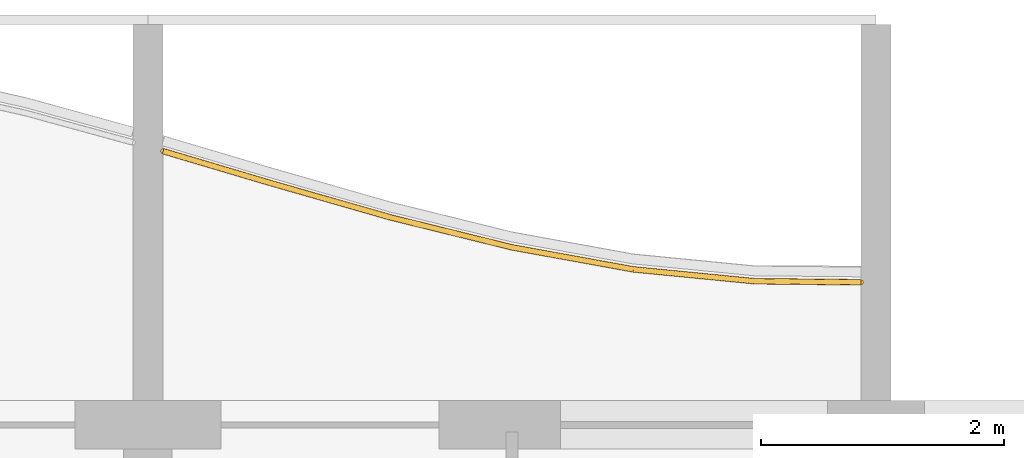
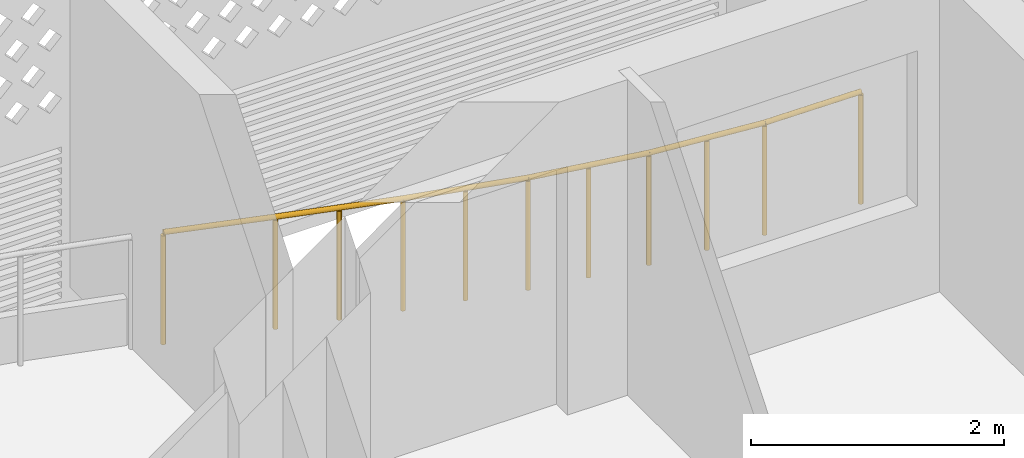
# One storey, part 36 of 44: 1 railing.
"""IFC4 building model written with IfcOpenShell, lengths in metres."""

from ifc_helpers import new_model, si_unit, direction, frame, origin, origin_2d, place, context, subcontext, project, spatial, circle, extrude, material, type_object, element, save


model = new_model("IFC4")

# Units and contexts
model_context = context("Model", 3, precision=1e-05, world=origin(), true_north=direction((0.0, 1.0)))
body_context = subcontext(model_context, "Body", "Model", "MODEL_VIEW")
ifc_project = project(units=[si_unit("LENGTHUNIT", "METRE"), si_unit("AREAUNIT", "SQUARE_METRE"), si_unit("VOLUMEUNIT", "CUBIC_METRE"), si_unit("PLANEANGLEUNIT", "RADIAN"), si_unit("MASSUNIT", "GRAM", prefix="KILO")], contexts=[model_context])

# Site, building, storey
site_placement = place(None, origin())
site = spatial("IfcSite", under=ifc_project, at=site_placement, CompositionType="ELEMENT")
building_placement = place(site_placement, origin())
building = spatial("IfcBuilding", under=site, at=building_placement, Name="Poui Terraces", CompositionType="ELEMENT")
storey_placement = place(building_placement, frame((0.0, 0.0, 30.0)))
storey = spatial("IfcBuildingStorey", under=building, at=storey_placement, Name="L07", CompositionType="ELEMENT", Elevation=30.0)

# Railing
ifc_material = material(Name="Painted steel fretwork", Category="steel")
railing_type = type_object("IfcRailingType", Name="BALCONY GUARD 1100", PredefinedType="GUARDRAIL", material=ifc_material)
railing_placement = place(storey_placement, frame((60.125, 47.0556640625, 0.0)))
element("IfcRailing", 1, at=railing_placement, inside=storey, type_object=railing_type, Name="BALCONY GUARD", PredefinedType="GUARDRAIL", context=body_context, shape_type="SweptSolid", body=[
    extrude(circle(Radius=0.02392578125, at=origin_2d()), frame((0.0, 0.0, 1.076171875), z_axis=(0.958646866278, -0.284598288426, 0.0), x_axis=(0.284598288426, 0.958646866278, 0.0)), (0.0, 0.0, 1.0), 0.912841796875),
    extrude(circle(Radius=0.02392578125, at=origin_2d()), frame((0.875, -0.259765625, 1.076171875), z_axis=(0.96141758688, -0.275093118121, 0.0), x_axis=(0.275093118121, 0.96141758688, 0.0)), (0.0, 0.0, 1.0), 1.0400390625),
    extrude(circle(Radius=0.02392578125, at=origin_2d()), frame((1.875, -0.5458984375, 1.076171875), z_axis=(0.970918311966, -0.239411009542, 0.0), x_axis=(0.239411009542, 0.970918311966, 0.0)), (0.0, 0.0, 1.0), 1.030029296875),
    extrude(circle(Radius=0.02392578125, at=origin_2d()), frame((2.875, -0.79248046875, 1.076171875), z_axis=(0.983942855126, -0.178483774746, 0.0), x_axis=(0.178483774746, 0.983942855126, 0.0)), (0.0, 0.0, 1.0), 1.016357421875),
    extrude(circle(Radius=0.02392578125, at=origin_2d()), frame((3.875, -0.973876953125, 1.076171875), z_axis=(0.995265465661, -0.097193893131, 0.0), x_axis=(0.097193893131, 0.995265465661, 0.0)), (0.0, 0.0, 1.0), 1.004638671875),
    extrude(circle(Radius=0.02392578125, at=origin_2d()), frame((4.875, -1.071533203125, 1.076171875), z_axis=(0.999949556392, -0.010044136169, 0.0), x_axis=(0.010044136169, 0.999949556392, 0.0)), (0.0, 0.0, 1.0), 0.875),
    extrude(circle(Radius=0.02099609375, at=origin_2d()), origin(), (0.0, 0.0, 1.0), 1.052001953125),
    extrude(circle(Radius=0.02099609375, at=origin_2d()), frame((0.875, -0.259765625, 0.0)), (0.0, 0.0, 1.0), 1.052001953125),
    extrude(circle(Radius=0.02099609375, at=origin_2d()), frame((1.375, -0.40283203125, 0.0)), (0.0, 0.0, 1.0), 1.052001953125),
    extrude(circle(Radius=0.02099609375, at=origin_2d()), frame((1.875, -0.5458984375, 0.0)), (0.0, 0.0, 1.0), 1.052001953125),
    extrude(circle(Radius=0.02099609375, at=origin_2d()), frame((2.375, -0.669189453125, 0.0)), (0.0, 0.0, 1.0), 1.052001953125),
    extrude(circle(Radius=0.02099609375, at=origin_2d()), frame((2.875, -0.79248046875, 0.0)), (0.0, 0.0, 1.0), 1.052001953125),
    extrude(circle(Radius=0.02099609375, at=origin_2d()), frame((3.375, -0.88330078125, 0.0)), (0.0, 0.0, 1.0), 1.052001953125),
    extrude(circle(Radius=0.02099609375, at=origin_2d()), frame((3.875, -0.973876953125, 0.0)), (0.0, 0.0, 1.0), 1.052001953125),
    extrude(circle(Radius=0.02099609375, at=origin_2d()), frame((4.375, -1.022705078125, 0.0)), (0.0, 0.0, 1.0), 1.052001953125),
    extrude(circle(Radius=0.02099609375, at=origin_2d()), frame((4.875, -1.071533203125, 0.0)), (0.0, 0.0, 1.0), 1.052001953125),
    extrude(circle(Radius=0.02099609375, at=origin_2d()), frame((5.75, -1.080322265625, 0.0)), (0.0, 0.0, 1.0), 1.052001953125),
])

save(model, "model.ifc")
